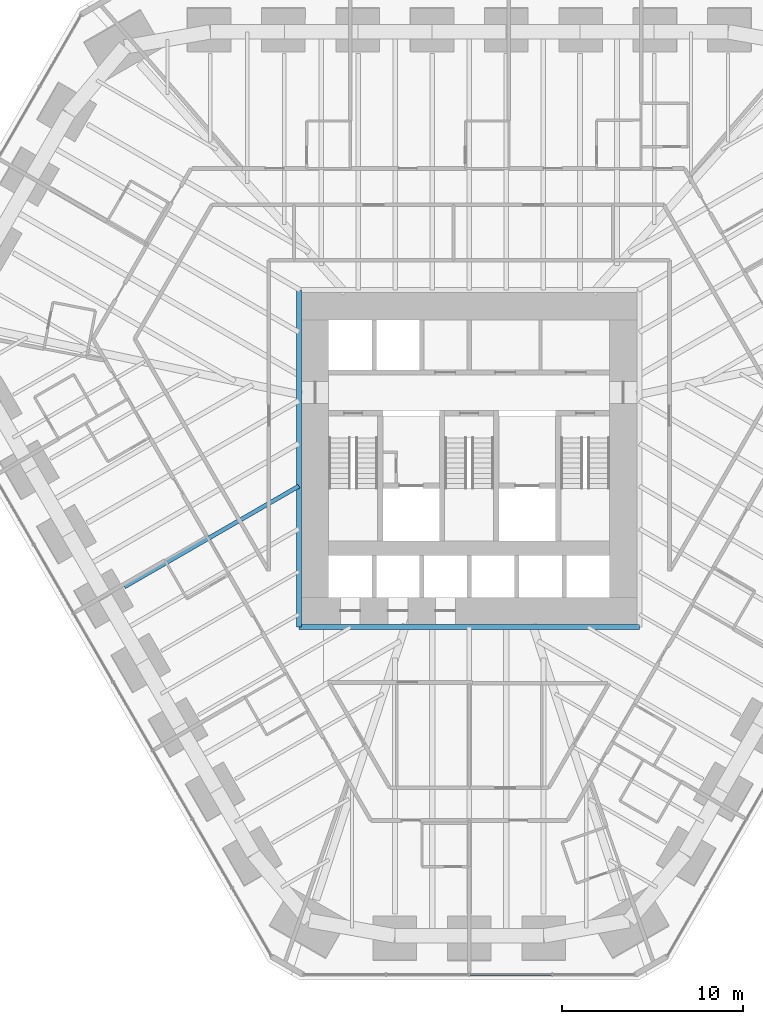
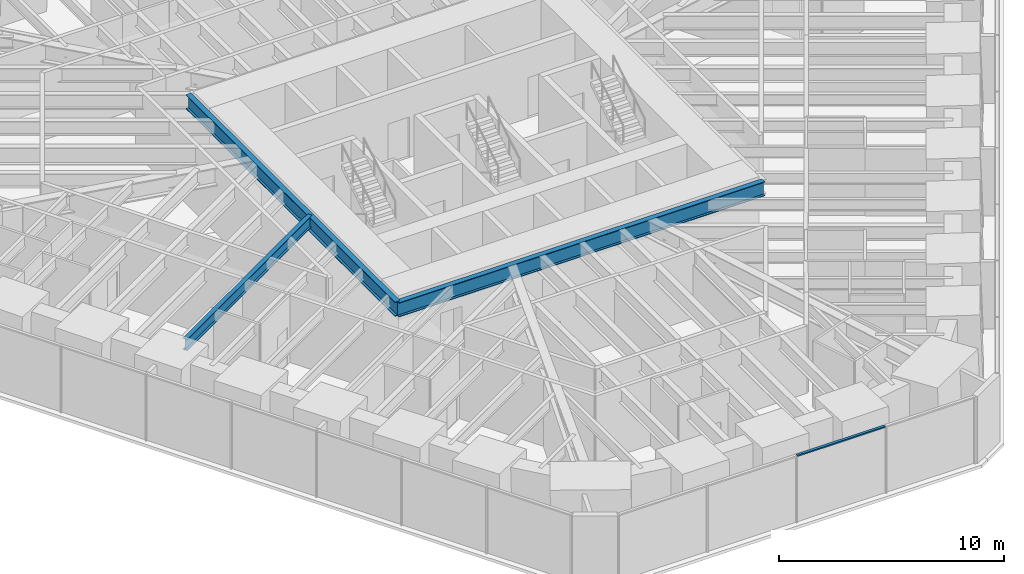
# One storey, part 4 of 17: 3 beams, 1 member, 1 element without a shape of its own.
"""IFC4 building model written with IfcOpenShell, lengths in metres."""

from ifc_helpers import new_model, si_unit, direction, frame, origin, origin_2d, place, context, subcontext, project, spatial, rectangle, i_section, extrude, material, material_profile, profile_set, type_object, element, aggregate, save


model = new_model("IFC4")

# Units and contexts
model_context = context("Model", 3, precision=1e-05, world=origin(), true_north=direction((0.0, 1.0)))
body_context = subcontext(model_context, "Body", "Model", "MODEL_VIEW")
ifc_project = project(units=[si_unit("LENGTHUNIT", "METRE"), si_unit("AREAUNIT", "SQUARE_METRE"), si_unit("VOLUMEUNIT", "CUBIC_METRE"), si_unit("PLANEANGLEUNIT", "RADIAN"), si_unit("MASSUNIT", "GRAM", prefix="KILO")], contexts=[model_context])

# Site, building, storey
site_placement = place(None, origin())
site = spatial("IfcSite", under=ifc_project, at=site_placement, CompositionType="ELEMENT")
building_placement = place(site_placement, origin())
building = spatial("IfcBuilding", under=site, at=building_placement, Name="Sandreach Pilgrim Tower", CompositionType="ELEMENT")
storey_placement = place(building_placement, frame((0.0, 0.0, 72.39990234375)))
storey = spatial("IfcBuildingStorey", under=building, at=storey_placement, Name="L17", CompositionType="ELEMENT", Elevation=72.39990234375)

# Curtain wall, member
ifc_material_1 = material(Name="Aluminium framed curtain wall", Category="aluminium")
curtain_wall_type = type_object("IfcCurtainWallType", Name="Hostel tower curtain wall", PredefinedType="NOTDEFINED", material=ifc_material_1)
curtain_wall_placement = place(storey_placement, origin())
curtain_wall = element("IfcCurtainWall", 1, at=curtain_wall_placement, inside=storey, type_object=curtain_wall_type, Name="CW-1 L17 S", PredefinedType="NOTDEFINED")
ifc_material_2 = material(Name="Aluminium extrusion", Category="aluminium")
ifc_material_profile_1 = material_profile(ifc_material_2, rectangle(XDim=0.139892578125, YDim=0.070068359375, at=origin_2d()), Name="CW-1T 140X70")
ifc_profile_set_1 = profile_set([ifc_material_profile_1], Name="Aluminium extrusion")
member_type = type_object("IfcMemberType", Name="CW-1 transom", PredefinedType="USERDEFINED", material=ifc_profile_set_1)
member_placement = place(storey_placement, frame((4.553466796875, -30.010986328125, 3.60498046875), z_axis=(-1.0, 0.0, 0.0), x_axis=(0.0, -1.0, 0.0)))
member = element("IfcMember", 2, at=member_placement, type_object=member_type, Name="CW-1 head transom 2", ObjectType="TRANSOM", PredefinedType="USERDEFINED", context=body_context, shape_type="SweptSolid", body=[
    extrude(rectangle(XDim=0.139892578125, YDim=0.070068359375, at=origin_2d()), origin(), (0.0, 0.0, 1.0), 4.52099609375),
])
aggregate(curtain_wall, [member])

# Beams
ifc_material_3 = material(Name="Steel ASTM A992 Grade 50", Category="steel")
ifc_material_profile_2 = material_profile(ifc_material_3, i_section(OverallWidth=0.2666015625, OverallDepth=0.77978515625, WebThickness=0.0166015625, FlangeThickness=0.030029296875, at=origin_2d()), Name="W30X148")
ifc_profile_set_2 = profile_set([ifc_material_profile_2], Name="Steel ASTM A992 Grade 50")
beam_type_1 = type_object("IfcBeamType", Name="Core edge beam W30X148", PredefinedType="BEAM", material=ifc_profile_set_2)
beam_1_placement = place(storey_placement, frame((9.393310546875, -10.84326171875, 3.250244140625), z_axis=(-1.0, 0.0, 0.0), x_axis=(0.0, -1.0, 0.0)))
element("IfcBeam", 3, at=beam_1_placement, inside=storey, type_object=beam_type_1, Name="BM L17 CES", PredefinedType="BEAM", context=body_context, shape_type="SweptSolid", body=[
    extrude(i_section(OverallWidth=0.2666015625, OverallDepth=0.77978515625, WebThickness=0.0166015625, FlangeThickness=0.030029296875, at=origin_2d()), origin(), (0.0, 0.0, 1.0), 18.78662109375),
])
beam_2_placement = place(storey_placement, frame((-9.393310546875, -10.84326171875, 3.250244140625), z_axis=(0.0, 1.0, 0.0), x_axis=(-1.0, 0.0, 0.0)))
element("IfcBeam", 4, at=beam_2_placement, inside=storey, type_object=beam_type_1, Name="BM L17 CEW", PredefinedType="BEAM", context=body_context, shape_type="SweptSolid", body=[
    extrude(i_section(OverallWidth=0.2666015625, OverallDepth=0.77978515625, WebThickness=0.0166015625, FlangeThickness=0.030029296875, at=origin_2d()), origin(), (0.0, 0.0, 1.0), 18.586669921875),
])
ifc_material_4 = material(Name="Steel ASTM A992 Grade 50", Category="steel")
ifc_material_profile_3 = material_profile(ifc_material_4, i_section(OverallWidth=0.23046875, OverallDepth=0.6171875, WebThickness=0.01318359375, FlangeThickness=0.022216796875, at=origin_2d()), Name="W24X94")
ifc_profile_set_3 = profile_set([ifc_material_profile_3], Name="Steel ASTM A992 Grade 50")
beam_type_2 = type_object("IfcBeamType", Name="Floor beam W24X94", PredefinedType="BEAM", material=ifc_profile_set_3)
beam_3_placement = place(storey_placement, frame((-19.025390625, -8.62841796875, 3.33154296875), z_axis=(0.866027306398, 0.499996704563, 0.0), x_axis=(-0.499996704563, 0.866027306398, 0.0)))
element("IfcBeam", 5, at=beam_3_placement, inside=storey, type_object=beam_type_2, Name="BM L17 F31", PredefinedType="BEAM", context=body_context, shape_type="SweptSolid", body=[
    extrude(i_section(OverallWidth=0.23046875, OverallDepth=0.6171875, WebThickness=0.01318359375, FlangeThickness=0.022216796875, at=origin_2d()), origin(), (0.0, 0.0, 1.0), 11.1220703125),
])

save(model, "model.ifc")
